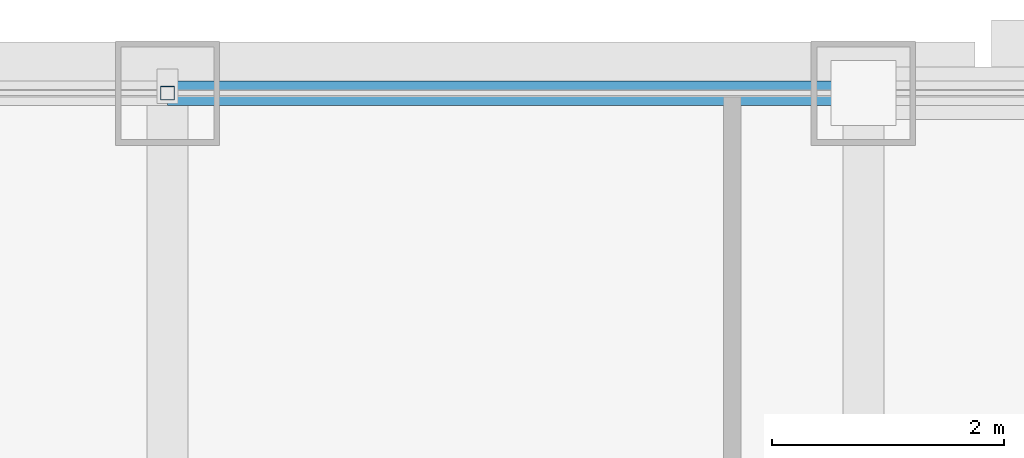
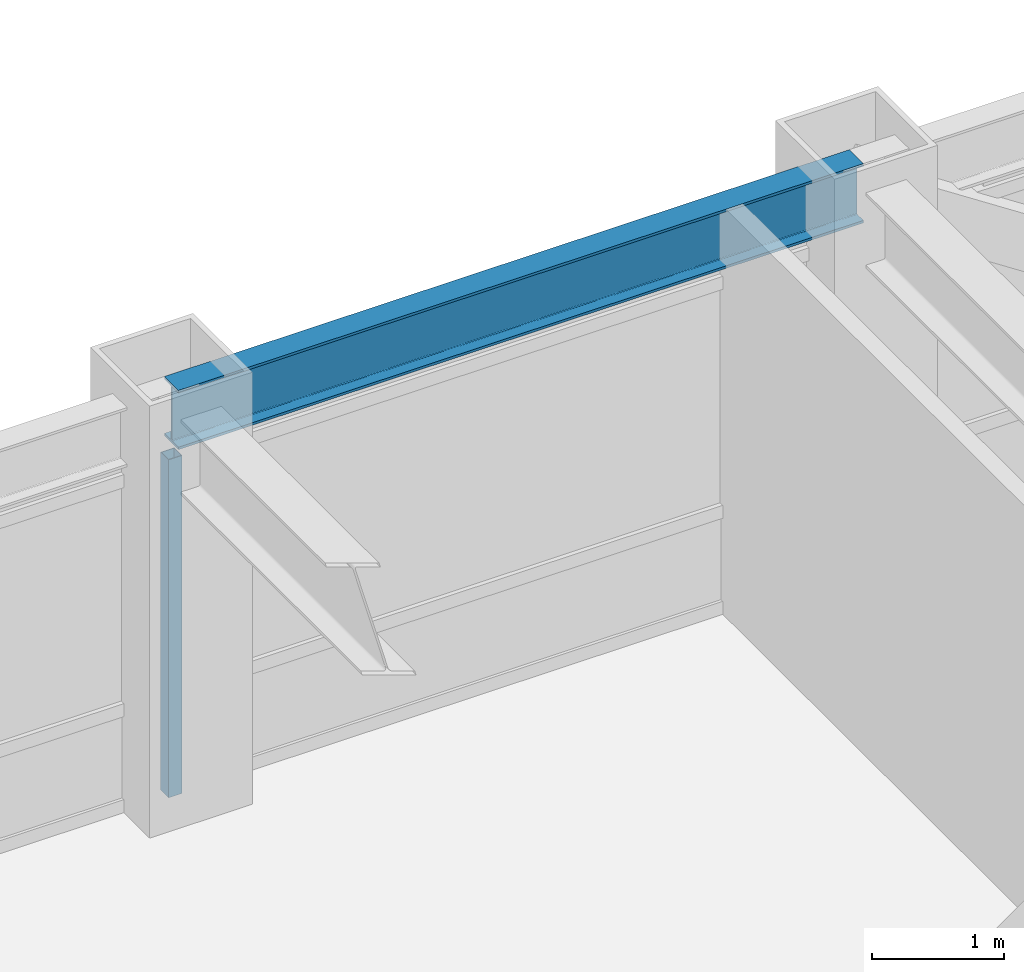
# One storey, part 14 of 27: 1 beam, 1 member, 1 element without a shape of its own.
"""IFC4 building model written with IfcOpenShell, lengths in metres."""

from ifc_helpers import new_model, si_unit, direction, frame, origin, origin_2d, place, context, subcontext, project, spatial, hollow_rectangle, i_section, extrude, source, transform, mapped, material, material_profile, profile_set, type_object, element, aggregate, save


model = new_model("IFC4")

# Units and contexts
model_context = context("Model", 3, precision=1e-05, world=origin(), true_north=direction((0.0, 1.0)))
body_context = subcontext(model_context, "Body", "Model", "MODEL_VIEW")
ifc_project = project(units=[si_unit("LENGTHUNIT", "METRE"), si_unit("AREAUNIT", "SQUARE_METRE"), si_unit("VOLUMEUNIT", "CUBIC_METRE"), si_unit("PLANEANGLEUNIT", "RADIAN"), si_unit("MASSUNIT", "GRAM", prefix="KILO")], contexts=[model_context])

# Site, building, storey
site_placement = place(None, origin())
site = spatial("IfcSite", under=ifc_project, at=site_placement, CompositionType="ELEMENT")
building_placement = place(site_placement, origin())
building = spatial("IfcBuilding", under=site, at=building_placement, Name="Khorayat Bourse Tower", CompositionType="ELEMENT")
storey_placement = place(building_placement, frame((0.0, 0.0, 285.5)))
storey = spatial("IfcBuildingStorey", under=building, at=storey_placement, Name="L67", CompositionType="ELEMENT", Elevation=285.5)

# Beam
ifc_material_1 = material(Name="Steel ASTM A992 Grade 50", Category="steel")
ifc_material_profile_1 = material_profile(ifc_material_1, i_section(OverallWidth=0.214111328125, OverallDepth=0.549072265625, WebThickness=0.0146484375, FlangeThickness=0.023681640625, FilletRadius=0.013916015625, at=origin_2d()), Name="W530X138")
ifc_profile_set_1 = profile_set([ifc_material_profile_1], Name="Steel ASTM A992 Grade 50")
beam_type = type_object("IfcBeamType", Name="BM-SPAN-530", PredefinedType="SPANDREL", material=ifc_profile_set_1)
shared_shape_1 = source(origin(), body_context, "Body", "SweptSolid", [
    extrude(i_section(OverallWidth=0.214111328125, OverallDepth=0.549072265625, WebThickness=0.0146484375, FlangeThickness=0.023681640625, FilletRadius=0.013916015625, at=origin_2d()), origin(), (0.0, 0.0, 1.0), 6.0),
])
beam_placement = place(storey_placement, frame((0.0, 28.0, 3.505615234375), z_axis=(1.0, 0.0, 0.0), x_axis=(0.0, 1.0, 0.0)))
element("IfcBeam", 1, at=beam_placement, inside=storey, type_object=beam_type, Name="L67 BM-SPAN-530 BM-L67-SPN-047", PredefinedType="SPANDREL", context=body_context, shape_type="MappedRepresentation", body=[
    mapped(shared_shape_1, transform((0.0, 0.0, 0.0), scale=1.0)),
])

# Curtain wall, member
ifc_material_2 = material(Name="Aluminium EN AW-6063 T6", Category="aluminium")
curtain_wall_type = type_object("IfcCurtainWallType", Name="CW-SYS-04", PredefinedType="NOTDEFINED", material=ifc_material_2)
curtain_wall_placement = place(storey_placement, origin())
curtain_wall = element("IfcCurtainWall", 2, at=curtain_wall_placement, inside=storey, type_object=curtain_wall_type, Name="L67 Curtain Wall CW-L67-N1", PredefinedType="NOTDEFINED")
ifc_material_profile_2 = material_profile(ifc_material_2, hollow_rectangle(XDim=0.1201171875, YDim=0.1201171875, WallThickness=0.0048828125, at=origin_2d()), Name="ALU 120x120x5")
ifc_profile_set_2 = profile_set([ifc_material_profile_2], Name="Aluminium EN AW-6063 T6")
member_type = type_object("IfcMemberType", Name="CWM-VERT-120", PredefinedType="MULLION", material=ifc_profile_set_2)
shared_shape_2 = source(origin(), body_context, "Body", "SweptSolid", [
    extrude(hollow_rectangle(XDim=0.1201171875, YDim=0.1201171875, WallThickness=0.0048828125, at=origin_2d()), origin(), (0.0, 0.0, 1.0), 3.1298828125),
])
member_placement = place(storey_placement, frame((0.0, 28.0, 0.0), z_axis=(0.0, 0.0, 1.0), x_axis=(0.0, 1.0, 0.0)))
member = element("IfcMember", 3, at=member_placement, type_object=member_type, Name="CW-L67-N1 Vertical Mullion 2", PredefinedType="MULLION", context=body_context, shape_type="MappedRepresentation", body=[
    mapped(shared_shape_2, transform((0.0, 0.0, 0.0), scale=1.0)),
])
aggregate(curtain_wall, [member])

save(model, "model.ifc")
